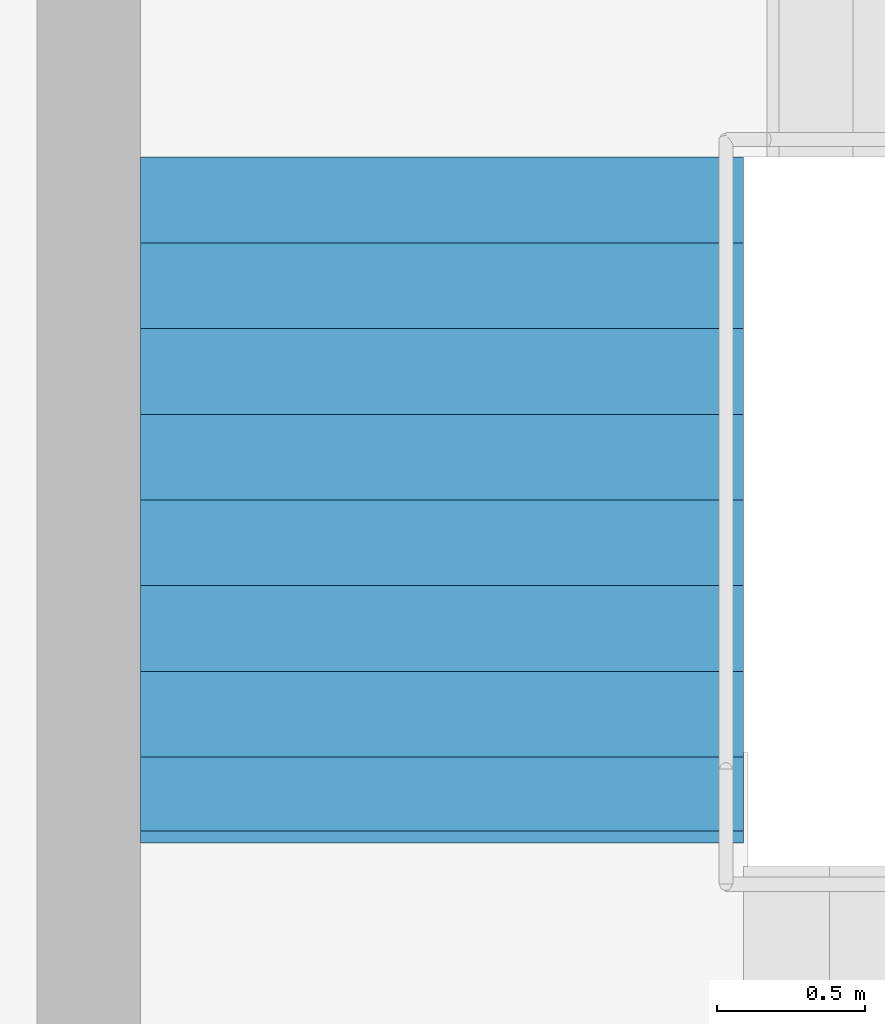
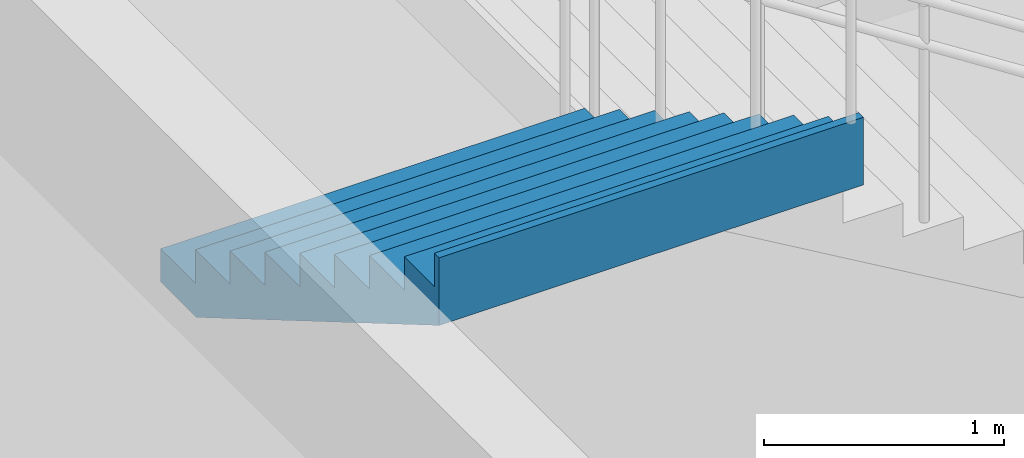
# One storey, part 35 of 46: 1 stair flight, 1 element without a shape of its own.
"""IFC4 building model written with IfcOpenShell, lengths in metres."""

from ifc_helpers import new_model, si_unit, direction, frame, origin, place, context, subcontext, project, spatial, triangles, material, type_object, element, aggregate, save


model = new_model("IFC4")

# Units and contexts
model_context = context("Model", 3, precision=1e-05, world=origin(), true_north=direction((0.0, 1.0)))
body_context = subcontext(model_context, "Body", "Model", "MODEL_VIEW")
ifc_project = project(units=[si_unit("LENGTHUNIT", "METRE"), si_unit("AREAUNIT", "SQUARE_METRE"), si_unit("VOLUMEUNIT", "CUBIC_METRE"), si_unit("PLANEANGLEUNIT", "RADIAN"), si_unit("MASSUNIT", "GRAM", prefix="KILO")], contexts=[model_context])

# Site, building, storey
site_placement = place(None, origin())
site = spatial("IfcSite", under=ifc_project, at=site_placement, CompositionType="ELEMENT")
building_placement = place(site_placement, origin())
building = spatial("IfcBuilding", under=site, at=building_placement, Name="Sillaruma Civic Art Gallery", CompositionType="ELEMENT")
storey_placement = place(building_placement, frame((0.0, 0.0, 16.320068359375)))
storey = spatial("IfcBuildingStorey", under=building, at=storey_placement, Name="L03", CompositionType="ELEMENT", Elevation=16.320068359375)

# Stair, stair flight
ifc_material = material(Name="Concrete H35 (35 MPa)", Category="concrete")
stair_type = type_object("IfcStairType", Name="STR-4F-36", PredefinedType="USERDEFINED", material=ifc_material)
stair_placement = place(storey_placement, origin())
stair = element("IfcStair", 1, at=stair_placement, inside=storey, type_object=stair_type, Name="Protected Exit Stair ST-04 (East Bar) (L03)", ObjectType="THREE_RETURN_STAIR", PredefinedType="USERDEFINED")
stair_flight_type = type_object("IfcStairFlightType", Name="SFL-STR-9", PredefinedType="STRAIGHT", material=ifc_material)
stair_flight_placement = place(storey_placement, frame((99.8798828125, 55.64990234375, 4.58984375), z_axis=(0.0, 0.0, 1.0), x_axis=(0.0, -1.0, 0.0)))
stair_flight = element("IfcStairFlight", 2, at=stair_flight_placement, type_object=stair_flight_type, Name="ST-04 flight 4", NumberOfRisers=9, NumberOfTreads=8, PredefinedType="STRAIGHT", RiserHeight=0.17, TreadLength=0.29, context=body_context, shape_type="Tessellation", body=[
    triangles([(0.0, -1.02001953125, 0.0), (0.29, -1.02001953125, 0.0), (0.296482, -1.02001953125, 0.0), (0.58, -1.02001953125, 0.1662), (0.87, -1.02001953125, 0.3362), (1.16, -1.02001953125, 0.5062), (1.45, -1.02001953125, 0.6762), (1.74, -1.02001953125, 0.8462), (2.03, -1.02001953125, 1.0162), (2.280068, -1.02001953125, 1.162792), (2.320068, -1.02001953125, 1.18624), (2.320068, -1.02001953125, 1.53), (2.280068, -1.02001953125, 1.53), (2.280068, -1.02001953125, 1.36), (2.03, -1.02001953125, 1.36), (2.03, -1.02001953125, 1.19), (1.74, -1.02001953125, 1.19), (1.74, -1.02001953125, 1.02), (1.45, -1.02001953125, 1.02), (1.45, -1.02001953125, 0.85), (1.16, -1.02001953125, 0.85), (1.16, -1.02001953125, 0.68), (0.87, -1.02001953125, 0.68), (0.87, -1.02001953125, 0.51), (0.58, -1.02001953125, 0.51), (0.58, -1.02001953125, 0.34), (0.296482, -1.02001953125, 0.34), (0.29, -1.02001953125, 0.34), (0.29, -1.02001953125, 0.17), (0.0, -1.02001953125, 0.17), (0.0, -0.05, 0.0), (0.29, -0.05, 0.0), (0.296482, -0.05, 0.0), (0.58, -0.05, 0.1662), (0.87, -0.05, 0.3362), (1.16, -0.05, 0.5062), (1.45, -0.05, 0.6762), (1.74, -0.05, 0.8462), (2.03, -0.05, 1.0162), (2.280068, -0.05, 1.162792), (2.320068, -0.05, 1.18624), (2.320068, -0.05, 1.53), (2.280068, -0.05, 1.53), (2.280068, -0.05, 1.36), (2.03, -0.05, 1.36), (2.03, -0.05, 1.19), (1.74, -0.05, 1.19), (1.74, -0.05, 1.02), (1.45, -0.05, 1.02), (1.45, -0.05, 0.85), (1.16, -0.05, 0.85), (1.16, -0.05, 0.68), (0.87, -0.05, 0.68), (0.87, -0.05, 0.51), (0.58, -0.05, 0.51), (0.58, -0.05, 0.34), (0.296482, -0.05, 0.34), (0.29, -0.05, 0.34), (0.29, -0.05, 0.17), (0.0, -0.05, 0.17), (0.0, -0.0375, 0.0), (0.29, -0.0375, 0.0), (0.296482, -0.0375, 0.0), (0.58, -0.0375, 0.1662), (0.87, -0.0375, 0.3362), (1.16, -0.0375, 0.5062), (1.45, -0.0375, 0.6762), (1.74, -0.0375, 0.8462), (2.03, -0.0375, 1.0162), (2.280068, -0.0375, 1.162792), (2.320068, -0.0375, 1.18624), (2.320068, -0.0375, 1.53), (2.280068, -0.0375, 1.53), (2.280068, -0.0375, 1.36), (2.03, -0.0375, 1.36), (2.03, -0.0375, 1.19), (1.74, -0.0375, 1.19), (1.74, -0.0375, 1.02), (1.45, -0.0375, 1.02), (1.45, -0.0375, 0.85), (1.16, -0.0375, 0.85), (1.16, -0.0375, 0.68), (0.87, -0.0375, 0.68), (0.87, -0.0375, 0.51), (0.58, -0.0375, 0.51), (0.58, -0.0375, 0.34), (0.296482, -0.0375, 0.34), (0.29, -0.0375, 0.34), (0.29, -0.0375, 0.17), (0.0, -0.0375, 0.17), (0.0, -0.025, 0.0), (0.29, -0.025, 0.0), (0.296482, -0.025, 0.0), (0.58, -0.025, 0.1662), (0.87, -0.025, 0.3362), (1.16, -0.025, 0.5062), (1.45, -0.025, 0.6762), (1.74, -0.025, 0.8462), (2.03, -0.025, 1.0162), (2.280068, -0.025, 1.162792), (2.320068, -0.025, 1.18624), (2.320068, -0.025, 1.53), (2.280068, -0.025, 1.53), (2.280068, -0.025, 1.36), (2.03, -0.025, 1.36), (2.03, -0.025, 1.19), (1.74, -0.025, 1.19), (1.74, -0.025, 1.02), (1.45, -0.025, 1.02), (1.45, -0.025, 0.85), (1.16, -0.025, 0.85), (1.16, -0.025, 0.68), (0.87, -0.025, 0.68), (0.87, -0.025, 0.51), (0.58, -0.025, 0.51), (0.58, -0.025, 0.34), (0.296482, -0.025, 0.34), (0.29, -0.025, 0.34), (0.29, -0.025, 0.17), (0.0, -0.025, 0.17), (0.0, -0.0125, 0.0), (0.29, -0.0125, 0.0), (0.296482, -0.0125, 0.0), (0.58, -0.0125, 0.1662), (0.87, -0.0125, 0.3362), (1.16, -0.0125, 0.5062), (1.45, -0.0125, 0.6762), (1.74, -0.0125, 0.8462), (2.03, -0.0125, 1.0162), (2.280068, -0.0125, 1.162792), (2.320068, -0.0125, 1.18624), (2.320068, -0.0125, 1.53), (2.280068, -0.0125, 1.53), (2.280068, -0.0125, 1.36), (2.03, -0.0125, 1.36), (2.03, -0.0125, 1.19), (1.74, -0.0125, 1.19), (1.74, -0.0125, 1.02), (1.45, -0.0125, 1.02), (1.45, -0.0125, 0.85), (1.16, -0.0125, 0.85), (1.16, -0.0125, 0.68), (0.87, -0.0125, 0.68), (0.87, -0.0125, 0.51), (0.58, -0.0125, 0.51), (0.58, -0.0125, 0.34), (0.296482, -0.0125, 0.34), (0.29, -0.0125, 0.34), (0.29, -0.0125, 0.17), (0.0, -0.0125, 0.17), (0.0, 0.0, 0.0), (0.29, 0.0, 0.0), (0.296482, 0.0, 0.0), (0.58, 0.0, 0.1662), (0.87, 0.0, 0.3362), (1.16, 0.0, 0.5062), (1.45, 0.0, 0.6762), (1.74, 0.0, 0.8462), (2.03, 0.0, 1.0162), (2.280068, 0.0, 1.162792), (2.320068, 0.0, 1.18624), (2.320068, 0.0, 1.53), (2.280068, 0.0, 1.53), (2.280068, 0.0, 1.36), (2.03, 0.0, 1.36), (2.03, 0.0, 1.19), (1.74, 0.0, 1.19), (1.74, 0.0, 1.02), (1.45, 0.0, 1.02), (1.45, 0.0, 0.85), (1.16, 0.0, 0.85), (1.16, 0.0, 0.68), (0.87, 0.0, 0.68), (0.87, 0.0, 0.51), (0.58, 0.0, 0.51), (0.58, 0.0, 0.34), (0.296482, 0.0, 0.34), (0.29, 0.0, 0.34), (0.29, 0.0, 0.17), (0.0, 0.0, 0.17), (0.0, 0.0125, 0.0), (0.29, 0.0125, 0.0), (0.296482, 0.0125, 0.0), (0.58, 0.0125, 0.1662), (0.87, 0.0125, 0.3362), (1.16, 0.0125, 0.5062), (1.45, 0.0125, 0.6762), (1.74, 0.0125, 0.8462), (2.03, 0.0125, 1.0162), (2.280068, 0.0125, 1.162792), (2.320068, 0.0125, 1.18624), (2.320068, 0.0125, 1.53), (2.280068, 0.0125, 1.53), (2.280068, 0.0125, 1.36), (2.03, 0.0125, 1.36), (2.03, 0.0125, 1.19), (1.74, 0.0125, 1.19), (1.74, 0.0125, 1.02), (1.45, 0.0125, 1.02), (1.45, 0.0125, 0.85), (1.16, 0.0125, 0.85), (1.16, 0.0125, 0.68), (0.87, 0.0125, 0.68), (0.87, 0.0125, 0.51), (0.58, 0.0125, 0.51), (0.58, 0.0125, 0.34), (0.296482, 0.0125, 0.34), (0.29, 0.0125, 0.34), (0.29, 0.0125, 0.17), (0.0, 0.0125, 0.17), (0.0, 0.025, 0.0), (0.29, 0.025, 0.0), (0.296482, 0.025, 0.0), (0.58, 0.025, 0.1662), (0.87, 0.025, 0.3362), (1.16, 0.025, 0.5062), (1.45, 0.025, 0.6762), (1.74, 0.025, 0.8462), (2.03, 0.025, 1.0162), (2.280068, 0.025, 1.162792), (2.320068, 0.025, 1.18624), (2.320068, 0.025, 1.53), (2.280068, 0.025, 1.53), (2.280068, 0.025, 1.36), (2.03, 0.025, 1.36), (2.03, 0.025, 1.19), (1.74, 0.025, 1.19), (1.74, 0.025, 1.02), (1.45, 0.025, 1.02), (1.45, 0.025, 0.85), (1.16, 0.025, 0.85), (1.16, 0.025, 0.68), (0.87, 0.025, 0.68), (0.87, 0.025, 0.51), (0.58, 0.025, 0.51), (0.58, 0.025, 0.34), (0.296482, 0.025, 0.34), (0.29, 0.025, 0.34), (0.29, 0.025, 0.17), (0.0, 0.025, 0.17), (0.0, 0.0375, 0.0), (0.29, 0.0375, 0.0), (0.296482, 0.0375, 0.0), (0.58, 0.0375, 0.1662), (0.87, 0.0375, 0.3362), (1.16, 0.0375, 0.5062), (1.45, 0.0375, 0.6762), (1.74, 0.0375, 0.8462), (2.03, 0.0375, 1.0162), (2.280068, 0.0375, 1.162792), (2.320068, 0.0375, 1.18624), (2.320068, 0.0375, 1.53), (2.280068, 0.0375, 1.53), (2.280068, 0.0375, 1.36), (2.03, 0.0375, 1.36), (2.03, 0.0375, 1.19), (1.74, 0.0375, 1.19), (1.74, 0.0375, 1.02), (1.45, 0.0375, 1.02), (1.45, 0.0375, 0.85), (1.16, 0.0375, 0.85), (1.16, 0.0375, 0.68), (0.87, 0.0375, 0.68), (0.87, 0.0375, 0.51), (0.58, 0.0375, 0.51), (0.58, 0.0375, 0.34), (0.296482, 0.0375, 0.34), (0.29, 0.0375, 0.34), (0.29, 0.0375, 0.17), (0.0, 0.0375, 0.17), (0.0, 0.05, 0.0), (0.29, 0.05, 0.0), (0.296482, 0.05, 0.0), (0.58, 0.05, 0.1662), (0.87, 0.05, 0.3362), (1.16, 0.05, 0.5062), (1.45, 0.05, 0.6762), (1.74, 0.05, 0.8462), (2.03, 0.05, 1.0162), (2.280068, 0.05, 1.162792), (2.320068, 0.05, 1.18624), (2.320068, 0.05, 1.53), (2.280068, 0.05, 1.53), (2.280068, 0.05, 1.36), (2.03, 0.05, 1.36), (2.03, 0.05, 1.19), (1.74, 0.05, 1.19), (1.74, 0.05, 1.02), (1.45, 0.05, 1.02), (1.45, 0.05, 0.85), (1.16, 0.05, 0.85), (1.16, 0.05, 0.68), (0.87, 0.05, 0.68), (0.87, 0.05, 0.51), (0.58, 0.05, 0.51), (0.58, 0.05, 0.34), (0.296482, 0.05, 0.34), (0.29, 0.05, 0.34), (0.29, 0.05, 0.17), (0.0, 0.05, 0.17), (0.0, 1.02001953125, 0.0), (0.29, 1.02001953125, 0.0), (0.296482, 1.02001953125, 0.0), (0.58, 1.02001953125, 0.1662), (0.87, 1.02001953125, 0.3362), (1.16, 1.02001953125, 0.5062), (1.45, 1.02001953125, 0.6762), (1.74, 1.02001953125, 0.8462), (2.03, 1.02001953125, 1.0162), (2.280068, 1.02001953125, 1.162792), (2.320068, 1.02001953125, 1.18624), (2.320068, 1.02001953125, 1.53), (2.280068, 1.02001953125, 1.53), (2.280068, 1.02001953125, 1.36), (2.03, 1.02001953125, 1.36), (2.03, 1.02001953125, 1.19), (1.74, 1.02001953125, 1.19), (1.74, 1.02001953125, 1.02), (1.45, 1.02001953125, 1.02), (1.45, 1.02001953125, 0.85), (1.16, 1.02001953125, 0.85), (1.16, 1.02001953125, 0.68), (0.87, 1.02001953125, 0.68), (0.87, 1.02001953125, 0.51), (0.58, 1.02001953125, 0.51), (0.58, 1.02001953125, 0.34), (0.296482, 1.02001953125, 0.34), (0.29, 1.02001953125, 0.34), (0.29, 1.02001953125, 0.17), (0.0, 1.02001953125, 0.17)], [[1, 2, 29], [1, 29, 30], [2, 3, 27], [2, 27, 29], [29, 27, 28], [3, 4, 26], [3, 26, 27], [4, 5, 24], [4, 24, 26], [26, 24, 25], [5, 6, 22], [5, 22, 24], [24, 22, 23], [6, 7, 20], [6, 20, 22], [22, 20, 21], [7, 8, 18], [7, 18, 20], [20, 18, 19], [8, 9, 16], [8, 16, 18], [18, 16, 17], [9, 10, 14], [9, 14, 16], [16, 14, 15], [10, 11, 12], [10, 12, 14], [14, 12, 13], [329, 302, 301], [330, 329, 301], [327, 303, 302], [329, 327, 302], [328, 327, 329], [326, 304, 303], [327, 326, 303], [324, 305, 304], [326, 324, 304], [325, 324, 326], [322, 306, 305], [324, 322, 305], [323, 322, 324], [320, 307, 306], [322, 320, 306], [321, 320, 322], [318, 308, 307], [320, 318, 307], [319, 318, 320], [316, 309, 308], [318, 316, 308], [317, 316, 318], [314, 310, 309], [316, 314, 309], [315, 314, 316], [312, 311, 310], [314, 312, 310], [313, 312, 314], [2, 1, 31], [2, 31, 32], [3, 2, 32], [3, 32, 33], [4, 3, 33], [4, 33, 34], [5, 4, 34], [5, 34, 35], [6, 5, 35], [6, 35, 36], [7, 6, 36], [7, 36, 37], [8, 7, 37], [8, 37, 38], [9, 8, 38], [9, 38, 39], [10, 9, 39], [10, 39, 40], [11, 10, 40], [11, 40, 41], [12, 11, 41], [12, 41, 42], [13, 12, 42], [13, 42, 43], [14, 13, 43], [14, 43, 44], [15, 14, 44], [15, 44, 45], [16, 15, 45], [16, 45, 46], [17, 16, 46], [17, 46, 47], [18, 17, 47], [18, 47, 48], [19, 18, 48], [19, 48, 49], [20, 19, 49], [20, 49, 50], [21, 20, 50], [21, 50, 51], [22, 21, 51], [22, 51, 52], [23, 22, 52], [23, 52, 53], [24, 23, 53], [24, 53, 54], [25, 24, 54], [25, 54, 55], [26, 25, 55], [26, 55, 56], [27, 26, 56], [27, 56, 57], [28, 27, 57], [28, 57, 58], [29, 28, 58], [29, 58, 59], [30, 29, 59], [30, 59, 60], [1, 30, 60], [1, 60, 31], [32, 31, 61], [32, 61, 62], [33, 32, 62], [33, 62, 63], [34, 33, 63], [34, 63, 64], [35, 34, 64], [35, 64, 65], [36, 35, 65], [36, 65, 66], [37, 36, 66], [37, 66, 67], [38, 37, 67], [38, 67, 68], [39, 38, 68], [39, 68, 69], [40, 39, 69], [40, 69, 70], [41, 40, 70], [41, 70, 71], [42, 41, 71], [42, 71, 72], [43, 42, 72], [43, 72, 73], [44, 43, 73], [44, 73, 74], [45, 44, 74], [45, 74, 75], [46, 45, 75], [46, 75, 76], [47, 46, 76], [47, 76, 77], [48, 47, 77], [48, 77, 78], [49, 48, 78], [49, 78, 79], [50, 49, 79], [50, 79, 80], [51, 50, 80], [51, 80, 81], [52, 51, 81], [52, 81, 82], [53, 52, 82], [53, 82, 83], [54, 53, 83], [54, 83, 84], [55, 54, 84], [55, 84, 85], [56, 55, 85], [56, 85, 86], [57, 56, 86], [57, 86, 87], [58, 57, 87], [58, 87, 88], [59, 58, 88], [59, 88, 89], [60, 59, 89], [60, 89, 90], [31, 60, 90], [31, 90, 61], [62, 61, 91], [62, 91, 92], [63, 62, 92], [63, 92, 93], [64, 63, 93], [64, 93, 94], [65, 64, 94], [65, 94, 95], [66, 65, 95], [66, 95, 96], [67, 66, 96], [67, 96, 97], [68, 67, 97], [68, 97, 98], [69, 68, 98], [69, 98, 99], [70, 69, 99], [70, 99, 100], [71, 70, 100], [71, 100, 101], [72, 71, 101], [72, 101, 102], [73, 72, 102], [73, 102, 103], [74, 73, 103], [74, 103, 104], [75, 74, 104], [75, 104, 105], [76, 75, 105], [76, 105, 106], [77, 76, 106], [77, 106, 107], [78, 77, 107], [78, 107, 108], [79, 78, 108], [79, 108, 109], [80, 79, 109], [80, 109, 110], [81, 80, 110], [81, 110, 111], [82, 81, 111], [82, 111, 112], [83, 82, 112], [83, 112, 113], [84, 83, 113], [84, 113, 114], [85, 84, 114], [85, 114, 115], [86, 85, 115], [86, 115, 116], [87, 86, 116], [87, 116, 117], [88, 87, 117], [88, 117, 118], [89, 88, 118], [89, 118, 119], [90, 89, 119], [90, 119, 120], [61, 90, 120], [61, 120, 91], [92, 91, 121], [92, 121, 122], [93, 92, 122], [93, 122, 123], [94, 93, 123], [94, 123, 124], [95, 94, 124], [95, 124, 125], [96, 95, 125], [96, 125, 126], [97, 96, 126], [97, 126, 127], [98, 97, 127], [98, 127, 128], [99, 98, 128], [99, 128, 129], [100, 99, 129], [100, 129, 130], [101, 100, 130], [101, 130, 131], [102, 101, 131], [102, 131, 132], [103, 102, 132], [103, 132, 133], [104, 103, 133], [104, 133, 134], [105, 104, 134], [105, 134, 135], [106, 105, 135], [106, 135, 136], [107, 106, 136], [107, 136, 137], [108, 107, 137], [108, 137, 138], [109, 108, 138], [109, 138, 139], [110, 109, 139], [110, 139, 140], [111, 110, 140], [111, 140, 141], [112, 111, 141], [112, 141, 142], [113, 112, 142], [113, 142, 143], [114, 113, 143], [114, 143, 144], [115, 114, 144], [115, 144, 145], [116, 115, 145], [116, 145, 146], [117, 116, 146], [117, 146, 147], [118, 117, 147], [118, 147, 148], [119, 118, 148], [119, 148, 149], [120, 119, 149], [120, 149, 150], [91, 120, 150], [91, 150, 121], [122, 121, 151], [122, 151, 152], [123, 122, 152], [123, 152, 153], [124, 123, 153], [124, 153, 154], [125, 124, 154], [125, 154, 155], [126, 125, 155], [126, 155, 156], [127, 126, 156], [127, 156, 157], [128, 127, 157], [128, 157, 158], [129, 128, 158], [129, 158, 159], [130, 129, 159], [130, 159, 160], [131, 130, 160], [131, 160, 161], [132, 131, 161], [132, 161, 162], [133, 132, 162], [133, 162, 163], [134, 133, 163], [134, 163, 164], [135, 134, 164], [135, 164, 165], [136, 135, 165], [136, 165, 166], [137, 136, 166], [137, 166, 167], [138, 137, 167], [138, 167, 168], [139, 138, 168], [139, 168, 169], [140, 139, 169], [140, 169, 170], [141, 140, 170], [141, 170, 171], [142, 141, 171], [142, 171, 172], [143, 142, 172], [143, 172, 173], [144, 143, 173], [144, 173, 174], [145, 144, 174], [145, 174, 175], [146, 145, 175], [146, 175, 176], [147, 146, 176], [147, 176, 177], [148, 147, 177], [148, 177, 178], [149, 148, 178], [149, 178, 179], [150, 149, 179], [150, 179, 180], [121, 150, 180], [121, 180, 151], [152, 151, 181], [152, 181, 182], [153, 152, 182], [153, 182, 183], [154, 153, 183], [154, 183, 184], [155, 154, 184], [155, 184, 185], [156, 155, 185], [156, 185, 186], [157, 156, 186], [157, 186, 187], [158, 157, 187], [158, 187, 188], [159, 158, 188], [159, 188, 189], [160, 159, 189], [160, 189, 190], [161, 160, 190], [161, 190, 191], [162, 161, 191], [162, 191, 192], [163, 162, 192], [163, 192, 193], [164, 163, 193], [164, 193, 194], [165, 164, 194], [165, 194, 195], [166, 165, 195], [166, 195, 196], [167, 166, 196], [167, 196, 197], [168, 167, 197], [168, 197, 198], [169, 168, 198], [169, 198, 199], [170, 169, 199], [170, 199, 200], [171, 170, 200], [171, 200, 201], [172, 171, 201], [172, 201, 202], [173, 172, 202], [173, 202, 203], [174, 173, 203], [174, 203, 204], [175, 174, 204], [175, 204, 205], [176, 175, 205], [176, 205, 206], [177, 176, 206], [177, 206, 207], [178, 177, 207], [178, 207, 208], [179, 178, 208], [179, 208, 209], [180, 179, 209], [180, 209, 210], [151, 180, 210], [151, 210, 181], [182, 181, 211], [182, 211, 212], [183, 182, 212], [183, 212, 213], [184, 183, 213], [184, 213, 214], [185, 184, 214], [185, 214, 215], [186, 185, 215], [186, 215, 216], [187, 186, 216], [187, 216, 217], [188, 187, 217], [188, 217, 218], [189, 188, 218], [189, 218, 219], [190, 189, 219], [190, 219, 220], [191, 190, 220], [191, 220, 221], [192, 191, 221], [192, 221, 222], [193, 192, 222], [193, 222, 223], [194, 193, 223], [194, 223, 224], [195, 194, 224], [195, 224, 225], [196, 195, 225], [196, 225, 226], [197, 196, 226], [197, 226, 227], [198, 197, 227], [198, 227, 228], [199, 198, 228], [199, 228, 229], [200, 199, 229], [200, 229, 230], [201, 200, 230], [201, 230, 231], [202, 201, 231], [202, 231, 232], [203, 202, 232], [203, 232, 233], [204, 203, 233], [204, 233, 234], [205, 204, 234], [205, 234, 235], [206, 205, 235], [206, 235, 236], [207, 206, 236], [207, 236, 237], [208, 207, 237], [208, 237, 238], [209, 208, 238], [209, 238, 239], [210, 209, 239], [210, 239, 240], [181, 210, 240], [181, 240, 211], [212, 211, 241], [212, 241, 242], [213, 212, 242], [213, 242, 243], [214, 213, 243], [214, 243, 244], [215, 214, 244], [215, 244, 245], [216, 215, 245], [216, 245, 246], [217, 216, 246], [217, 246, 247], [218, 217, 247], [218, 247, 248], [219, 218, 248], [219, 248, 249], [220, 219, 249], [220, 249, 250], [221, 220, 250], [221, 250, 251], [222, 221, 251], [222, 251, 252], [223, 222, 252], [223, 252, 253], [224, 223, 253], [224, 253, 254], [225, 224, 254], [225, 254, 255], [226, 225, 255], [226, 255, 256], [227, 226, 256], [227, 256, 257], [228, 227, 257], [228, 257, 258], [229, 228, 258], [229, 258, 259], [230, 229, 259], [230, 259, 260], [231, 230, 260], [231, 260, 261], [232, 231, 261], [232, 261, 262], [233, 232, 262], [233, 262, 263], [234, 233, 263], [234, 263, 264], [235, 234, 264], [235, 264, 265], [236, 235, 265], [236, 265, 266], [237, 236, 266], [237, 266, 267], [238, 237, 267], [238, 267, 268], [239, 238, 268], [239, 268, 269], [240, 239, 269], [240, 269, 270], [211, 240, 270], [211, 270, 241], [242, 241, 271], [242, 271, 272], [243, 242, 272], [243, 272, 273], [244, 243, 273], [244, 273, 274], [245, 244, 274], [245, 274, 275], [246, 245, 275], [246, 275, 276], [247, 246, 276], [247, 276, 277], [248, 247, 277], [248, 277, 278], [249, 248, 278], [249, 278, 279], [250, 249, 279], [250, 279, 280], [251, 250, 280], [251, 280, 281], [252, 251, 281], [252, 281, 282], [253, 252, 282], [253, 282, 283], [254, 253, 283], [254, 283, 284], [255, 254, 284], [255, 284, 285], [256, 255, 285], [256, 285, 286], [257, 256, 286], [257, 286, 287], [258, 257, 287], [258, 287, 288], [259, 258, 288], [259, 288, 289], [260, 259, 289], [260, 289, 290], [261, 260, 290], [261, 290, 291], [262, 261, 291], [262, 291, 292], [263, 262, 292], [263, 292, 293], [264, 263, 293], [264, 293, 294], [265, 264, 294], [265, 294, 295], [266, 265, 295], [266, 295, 296], [267, 266, 296], [267, 296, 297], [268, 267, 297], [268, 297, 298], [269, 268, 298], [269, 298, 299], [270, 269, 299], [270, 299, 300], [241, 270, 300], [241, 300, 271], [272, 271, 301], [272, 301, 302], [273, 272, 302], [273, 302, 303], [274, 273, 303], [274, 303, 304], [275, 274, 304], [275, 304, 305], [276, 275, 305], [276, 305, 306], [277, 276, 306], [277, 306, 307], [278, 277, 307], [278, 307, 308], [279, 278, 308], [279, 308, 309], [280, 279, 309], [280, 309, 310], [281, 280, 310], [281, 310, 311], [282, 281, 311], [282, 311, 312], [283, 282, 312], [283, 312, 313], [284, 283, 313], [284, 313, 314], [285, 284, 314], [285, 314, 315], [286, 285, 315], [286, 315, 316], [287, 286, 316], [287, 316, 317], [288, 287, 317], [288, 317, 318], [289, 288, 318], [289, 318, 319], [290, 289, 319], [290, 319, 320], [291, 290, 320], [291, 320, 321], [292, 291, 321], [292, 321, 322], [293, 292, 322], [293, 322, 323], [294, 293, 323], [294, 323, 324], [295, 294, 324], [295, 324, 325], [296, 295, 325], [296, 325, 326], [297, 296, 326], [297, 326, 327], [298, 297, 327], [298, 327, 328], [299, 298, 328], [299, 328, 329], [300, 299, 329], [300, 329, 330], [271, 300, 330], [271, 330, 301]], closed=True),
])
aggregate(stair, [stair_flight])

save(model, "model.ifc")
